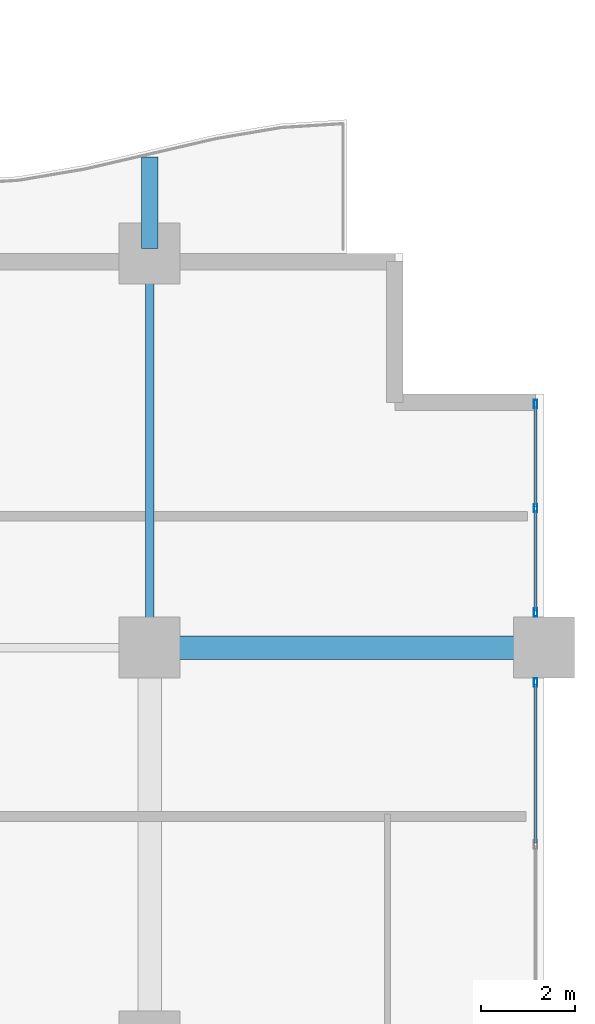
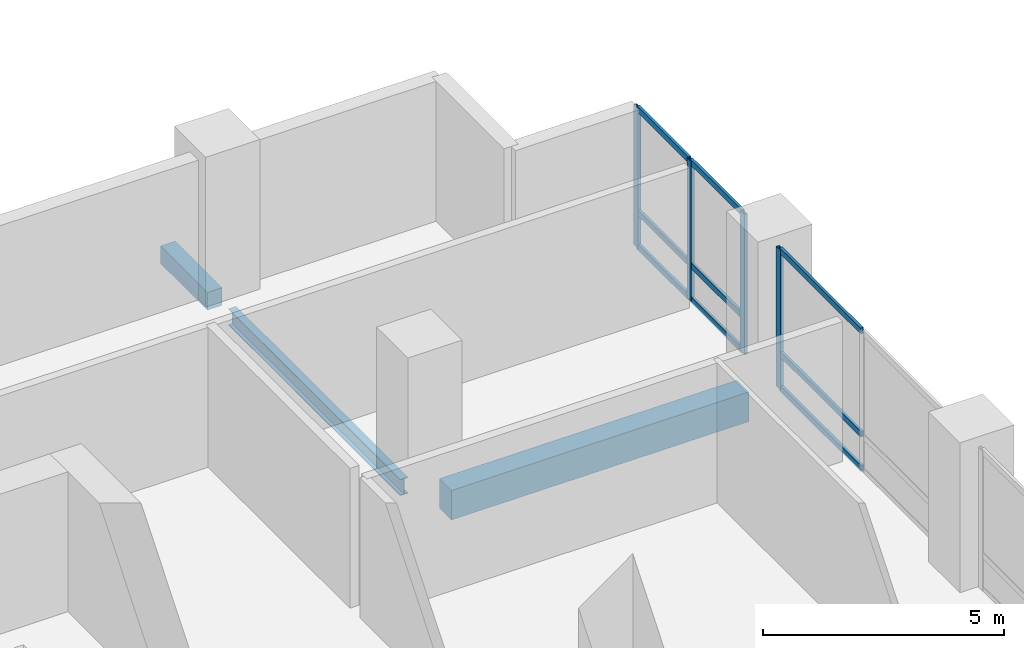
# One storey, part 6 of 23: 13 members, 3 beams, 2 elements without a shape of their own.
"""IFC4 building model written with IfcOpenShell, lengths in metres."""

from ifc_helpers import new_model, si_unit, direction, frame, origin, origin_2d, place, context, subcontext, project, spatial, rectangle, hollow_rectangle, i_section, extrude, material, layer, layer_set, material_profile, profile_set, type_object, element, aggregate, save


model = new_model("IFC4")

# Units and contexts
model_context = context("Model", 3, precision=1e-05, world=origin(), true_north=direction((0.0, 1.0)))
body_context = subcontext(model_context, "Body", "Model", "MODEL_VIEW")
ifc_project = project(units=[si_unit("LENGTHUNIT", "METRE"), si_unit("AREAUNIT", "SQUARE_METRE"), si_unit("VOLUMEUNIT", "CUBIC_METRE"), si_unit("PLANEANGLEUNIT", "RADIAN"), si_unit("MASSUNIT", "GRAM", prefix="KILO")], contexts=[model_context])

# Site, building, storey
site_placement = place(None, origin())
site = spatial("IfcSite", under=ifc_project, at=site_placement, CompositionType="ELEMENT")
building_placement = place(site_placement, origin())
building = spatial("IfcBuilding", under=site, at=building_placement, Name="Koriwani Terraces Tower", CompositionType="ELEMENT")
storey_placement = place(building_placement, frame((0.0, 0.0, 134.199951171875)))
storey = spatial("IfcBuildingStorey", under=building, at=storey_placement, Name="L32", CompositionType="ELEMENT", Elevation=134.199951171875)

# Beams
ifc_material_1 = material(Name="Concrete C40/50", Category="concrete")
ifc_material_profile_1 = material_profile(ifc_material_1, rectangle(XDim=0.35009765625, YDim=0.449951171875, at=origin_2d()), Name="Concrete C40/50", Category="LoadBearing")
ifc_profile_set_1 = profile_set([ifc_material_profile_1], Name="Concrete C40/50")
beam_type_1 = type_object("IfcBeamType", Name="BEAM_RC_BALCONY_RIB_350X450", PredefinedType="JOIST", material=ifc_profile_set_1)
beam_1_placement = place(storey_placement, frame((67.199951171875, 33.699951171875, -0.474853515625), z_axis=(0.0, 1.0, 0.0), x_axis=(-1.0, 0.0, 0.0)))
element("IfcBeam", 1, at=beam_1_placement, inside=storey, type_object=beam_type_1, Name="L32 Balcony Bracket Rib NE-4", PredefinedType="JOIST", context=body_context, shape_type="SweptSolid", body=[
    extrude(rectangle(XDim=0.35009765625, YDim=0.449951171875, at=origin_2d()), origin(), (0.0, 0.0, 1.0), 1.949951171875),
])
ifc_material_2 = material(Name="Concrete C50/60", Category="concrete")
ifc_material_profile_2 = material_profile(ifc_material_2, rectangle(XDim=0.5, YDim=0.75, at=origin_2d()), Name="Concrete C50/60", Category="LoadBearing")
ifc_profile_set_2 = profile_set([ifc_material_profile_2], Name="Concrete C50/60")
beam_type_2 = type_object("IfcBeamType", Name="BEAM_RC_GRID_500X750", PredefinedType="BEAM", material=ifc_profile_set_2)
beam_2_placement = place(storey_placement, frame((67.830078125, 25.199951171875, -0.625), z_axis=(1.0, 0.0, 0.0), x_axis=(0.0, 1.0, 0.0)))
element("IfcBeam", 2, at=beam_2_placement, inside=storey, type_object=beam_type_2, Name="L32 Grid Beam D (67.2-75.6m)", PredefinedType="BEAM", context=body_context, shape_type="SweptSolid", body=[
    extrude(rectangle(XDim=0.5, YDim=0.75, at=origin_2d()), origin(), (0.0, 0.0, 1.0), 7.139892578125),
])

# Curtain wall, members
ifc_material_3 = material(Name="Anodised Bronze Aluminium", Category="aluminium")
ifc_layer = layer(ifc_material_3, 0.179931640625, Name="Anodised Bronze Aluminium")
ifc_layer_set = layer_set([ifc_layer], Name="Anodised Bronze Aluminium")
curtain_wall_type = type_object("IfcCurtainWallType", Name="CW_HOTEL_ZONE2", PredefinedType="NOTDEFINED", material=ifc_layer_set)
curtain_wall_1_placement = place(storey_placement, origin())
curtain_wall_1 = element("IfcCurtainWall", 3, at=curtain_wall_1_placement, inside=storey, type_object=curtain_wall_type, Name="L32 Unitised Curtain Wall (E_TIP) Bay 1", PredefinedType="NOTDEFINED")
ifc_material_profile_3 = material_profile(ifc_material_3, hollow_rectangle(XDim=0.074951171875, YDim=0.179931640625, WallThickness=0.006103515625, at=origin_2d()), Name="Anodised Bronze Aluminium", Category="LoadBearing")
ifc_profile_set_3 = profile_set([ifc_material_profile_3], Name="Anodised Bronze Aluminium")
member_type_1 = type_object("IfcMemberType", Name="CW_MULLION_180X75", PredefinedType="MULLION", material=ifc_profile_set_3)
member_1_placement = place(storey_placement, frame((75.425048828125, 30.387451171875, 0.0), z_axis=(0.0, 0.0, 1.0), x_axis=(1.0, 0.0, 0.0)))
member_1 = element("IfcMember", 4, at=member_1_placement, type_object=member_type_1, Name="CW-Z2 mullion 1", PredefinedType="MULLION", context=body_context, shape_type="SweptSolid", body=[
    extrude(hollow_rectangle(XDim=0.074951171875, YDim=0.179931640625, WallThickness=0.006103515625, at=origin_2d()), origin(), (0.0, 0.0, 1.0), 3.550048828125),
])
member_2_placement = place(storey_placement, frame((75.425048828125, 28.16748046875, 0.0), z_axis=(0.0, 0.0, 1.0), x_axis=(1.0, 0.0, 0.0)))
member_2 = element("IfcMember", 5, at=member_2_placement, type_object=member_type_1, Name="CW-Z2 mullion 2", PredefinedType="MULLION", context=body_context, shape_type="SweptSolid", body=[
    extrude(hollow_rectangle(XDim=0.074951171875, YDim=0.179931640625, WallThickness=0.006103515625, at=origin_2d()), origin(), (0.0, 0.0, 1.0), 3.550048828125),
])
member_3_placement = place(storey_placement, frame((75.425048828125, 25.947509765625, 0.0), z_axis=(0.0, 0.0, 1.0), x_axis=(1.0, 0.0, 0.0)))
member_3 = element("IfcMember", 6, at=member_3_placement, type_object=member_type_1, Name="CW-Z2 mullion 3", PredefinedType="MULLION", context=body_context, shape_type="SweptSolid", body=[
    extrude(hollow_rectangle(XDim=0.074951171875, YDim=0.179931640625, WallThickness=0.006103515625, at=origin_2d()), origin(), (0.0, 0.0, 1.0), 3.550048828125),
])

# Curtain wall, member
curtain_wall_2_placement = place(storey_placement, origin())
curtain_wall_2 = element("IfcCurtainWall", 7, at=curtain_wall_2_placement, inside=storey, type_object=curtain_wall_type, Name="L32 Unitised Curtain Wall (E_TIP) Bay 2", PredefinedType="NOTDEFINED")
member_4_placement = place(storey_placement, frame((75.425048828125, 24.452392578125, 0.0), z_axis=(0.0, 0.0, 1.0), x_axis=(1.0, 0.0, 0.0)))
member_4 = element("IfcMember", 8, at=member_4_placement, type_object=member_type_1, Name="CW-Z2 mullion 1", PredefinedType="MULLION", context=body_context, shape_type="SweptSolid", body=[
    extrude(hollow_rectangle(XDim=0.074951171875, YDim=0.179931640625, WallThickness=0.006103515625, at=origin_2d()), origin(), (0.0, 0.0, 1.0), 3.550048828125),
])

# Member
ifc_material_profile_4 = material_profile(ifc_material_3, hollow_rectangle(XDim=0.06494140625, YDim=0.14990234375, WallThickness=0.0048828125, at=origin_2d()), Name="Anodised Bronze Aluminium", Category="LoadBearing")
ifc_profile_set_4 = profile_set([ifc_material_profile_4], Name="Anodised Bronze Aluminium")
member_type_2 = type_object("IfcMemberType", Name="CW_TRANSOM_150X65", PredefinedType="USERDEFINED", material=ifc_profile_set_4)
member_5_placement = place(storey_placement, frame((75.425048828125, 30.35009765625, 0.032470703125), z_axis=(0.0, -1.0, 0.0), x_axis=(1.0, 0.0, 0.0)))
member_5 = element("IfcMember", 9, at=member_5_placement, type_object=member_type_2, Name="CW-Z2 transom 1.1", ObjectType="TRANSOM", PredefinedType="USERDEFINED", context=body_context, shape_type="SweptSolid", body=[
    extrude(hollow_rectangle(XDim=0.06494140625, YDim=0.14990234375, WallThickness=0.0048828125, at=origin_2d()), origin(), (0.0, 0.0, 1.0), 2.14501953125),
])

member_6_placement = place(storey_placement, frame((75.425048828125, 30.35009765625, 0.900146484375), z_axis=(0.0, -1.0, 0.0), x_axis=(1.0, 0.0, 0.0)))
member_6 = element("IfcMember", 10, at=member_6_placement, type_object=member_type_2, Name="CW-Z2 transom 1.2", ObjectType="TRANSOM", PredefinedType="USERDEFINED", context=body_context, shape_type="SweptSolid", body=[
    extrude(hollow_rectangle(XDim=0.06494140625, YDim=0.14990234375, WallThickness=0.0048828125, at=origin_2d()), origin(), (0.0, 0.0, 1.0), 2.14501953125),
])

member_7_placement = place(storey_placement, frame((75.425048828125, 30.35009765625, 3.517578125), z_axis=(0.0, -1.0, 0.0), x_axis=(1.0, 0.0, 0.0)))
member_7 = element("IfcMember", 11, at=member_7_placement, type_object=member_type_2, Name="CW-Z2 transom 1.3", ObjectType="TRANSOM", PredefinedType="USERDEFINED", context=body_context, shape_type="SweptSolid", body=[
    extrude(hollow_rectangle(XDim=0.06494140625, YDim=0.14990234375, WallThickness=0.0048828125, at=origin_2d()), origin(), (0.0, 0.0, 1.0), 2.14501953125),
])

member_8_placement = place(storey_placement, frame((75.425048828125, 28.1298828125, 0.032470703125), z_axis=(0.0, -1.0, 0.0), x_axis=(1.0, 0.0, 0.0)))
member_8 = element("IfcMember", 12, at=member_8_placement, type_object=member_type_2, Name="CW-Z2 transom 2.1", ObjectType="TRANSOM", PredefinedType="USERDEFINED", context=body_context, shape_type="SweptSolid", body=[
    extrude(hollow_rectangle(XDim=0.06494140625, YDim=0.14990234375, WallThickness=0.0048828125, at=origin_2d()), origin(), (0.0, 0.0, 1.0), 2.144775390625),
])

member_9_placement = place(storey_placement, frame((75.425048828125, 28.1298828125, 0.900146484375), z_axis=(0.0, -1.0, 0.0), x_axis=(1.0, 0.0, 0.0)))
member_9 = element("IfcMember", 13, at=member_9_placement, type_object=member_type_2, Name="CW-Z2 transom 2.2", ObjectType="TRANSOM", PredefinedType="USERDEFINED", context=body_context, shape_type="SweptSolid", body=[
    extrude(hollow_rectangle(XDim=0.06494140625, YDim=0.14990234375, WallThickness=0.0048828125, at=origin_2d()), origin(), (0.0, 0.0, 1.0), 2.144775390625),
])

member_10_placement = place(storey_placement, frame((75.425048828125, 28.1298828125, 3.517578125), z_axis=(0.0, -1.0, 0.0), x_axis=(1.0, 0.0, 0.0)))
member_10 = element("IfcMember", 14, at=member_10_placement, type_object=member_type_2, Name="CW-Z2 transom 2.3", ObjectType="TRANSOM", PredefinedType="USERDEFINED", context=body_context, shape_type="SweptSolid", body=[
    extrude(hollow_rectangle(XDim=0.06494140625, YDim=0.14990234375, WallThickness=0.0048828125, at=origin_2d()), origin(), (0.0, 0.0, 1.0), 2.144775390625),
])

aggregate(curtain_wall_1, [member_1, member_2, member_3, member_5, member_6, member_7, member_8, member_9, member_10])

member_11_placement = place(storey_placement, frame((75.425048828125, 24.4150390625, 0.032470703125), z_axis=(0.0, -1.0, 0.0), x_axis=(1.0, 0.0, 0.0)))
member_11 = element("IfcMember", 15, at=member_11_placement, type_object=member_type_2, Name="CW-Z2 transom 1.1", ObjectType="TRANSOM", PredefinedType="USERDEFINED", context=body_context, shape_type="SweptSolid", body=[
    extrude(hollow_rectangle(XDim=0.06494140625, YDim=0.14990234375, WallThickness=0.0048828125, at=origin_2d()), origin(), (0.0, 0.0, 1.0), 3.37744140625),
])

member_12_placement = place(storey_placement, frame((75.425048828125, 24.4150390625, 0.900146484375), z_axis=(0.0, -1.0, 0.0), x_axis=(1.0, 0.0, 0.0)))
member_12 = element("IfcMember", 16, at=member_12_placement, type_object=member_type_2, Name="CW-Z2 transom 1.2", ObjectType="TRANSOM", PredefinedType="USERDEFINED", context=body_context, shape_type="SweptSolid", body=[
    extrude(hollow_rectangle(XDim=0.06494140625, YDim=0.14990234375, WallThickness=0.0048828125, at=origin_2d()), origin(), (0.0, 0.0, 1.0), 3.37744140625),
])

member_13_placement = place(storey_placement, frame((75.425048828125, 24.4150390625, 3.517578125), z_axis=(0.0, -1.0, 0.0), x_axis=(1.0, 0.0, 0.0)))
member_13 = element("IfcMember", 17, at=member_13_placement, type_object=member_type_2, Name="CW-Z2 transom 1.3", ObjectType="TRANSOM", PredefinedType="USERDEFINED", context=body_context, shape_type="SweptSolid", body=[
    extrude(hollow_rectangle(XDim=0.06494140625, YDim=0.14990234375, WallThickness=0.0048828125, at=origin_2d()), origin(), (0.0, 0.0, 1.0), 3.37744140625),
])

aggregate(curtain_wall_2, [member_4, member_11, member_12, member_13])

# Beam
ifc_material_4 = material(Name="Steel ASTM A572 Grade 50", Category="steel")
ifc_material_profile_5 = material_profile(ifc_material_4, i_section(OverallWidth=0.180908203125, OverallDepth=0.4169921875, WebThickness=0.010986328125, FlangeThickness=0.018310546875, at=origin_2d()), Name="Steel ASTM A572 Grade 50", Category="LoadBearing")
ifc_profile_set_5 = profile_set([ifc_material_profile_5], Name="Steel ASTM A572 Grade 50")
beam_type_3 = type_object("IfcBeamType", Name="STEEL_BEAM_W410X85", PredefinedType="JOIST", material=ifc_profile_set_5)
beam_3_placement = place(storey_placement, frame((67.199951171875, 25.830078125, -0.45849609375), z_axis=(0.0, 1.0, 0.0), x_axis=(-1.0, 0.0, 0.0)))
element("IfcBeam", 18, at=beam_3_placement, inside=storey, type_object=beam_type_3, Name="L32 Grid Beam 9 (25.2-33.6m)", PredefinedType="JOIST", context=body_context, shape_type="SweptSolid", body=[
    extrude(i_section(OverallWidth=0.180908203125, OverallDepth=0.4169921875, WebThickness=0.010986328125, FlangeThickness=0.018310546875, at=origin_2d()), origin(), (0.0, 0.0, 1.0), 7.139892578125),
])

save(model, "model.ifc")
